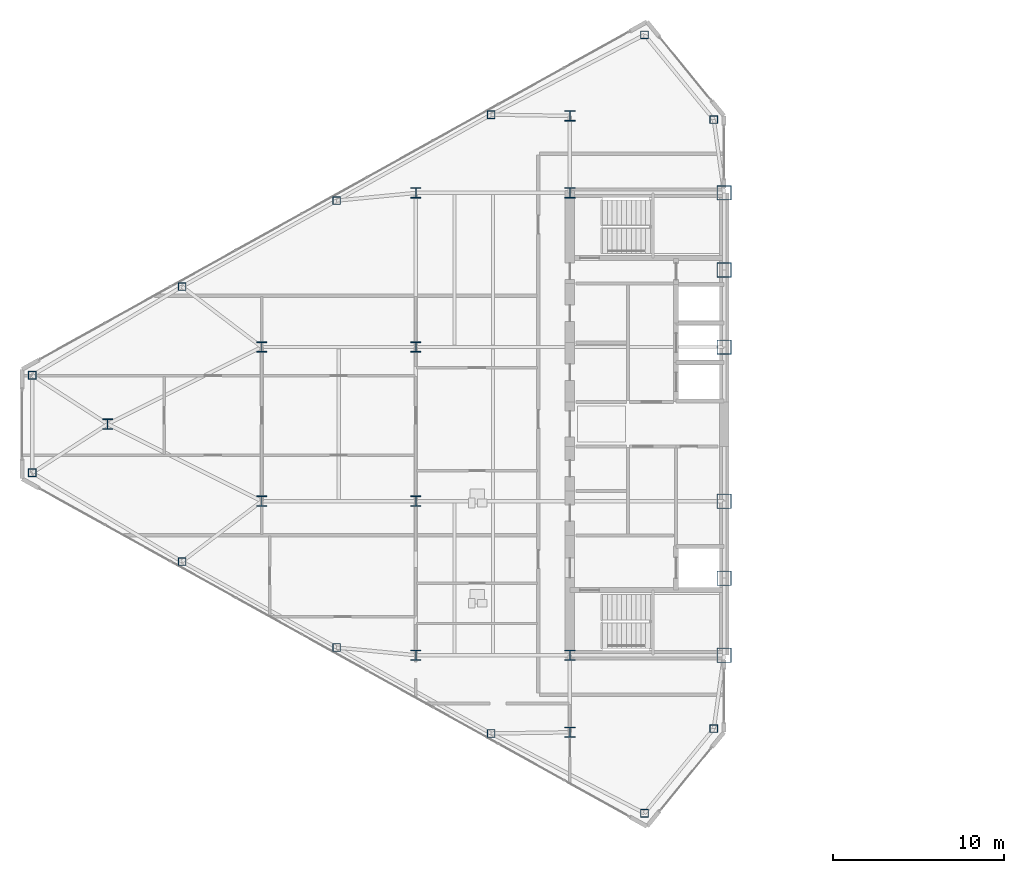
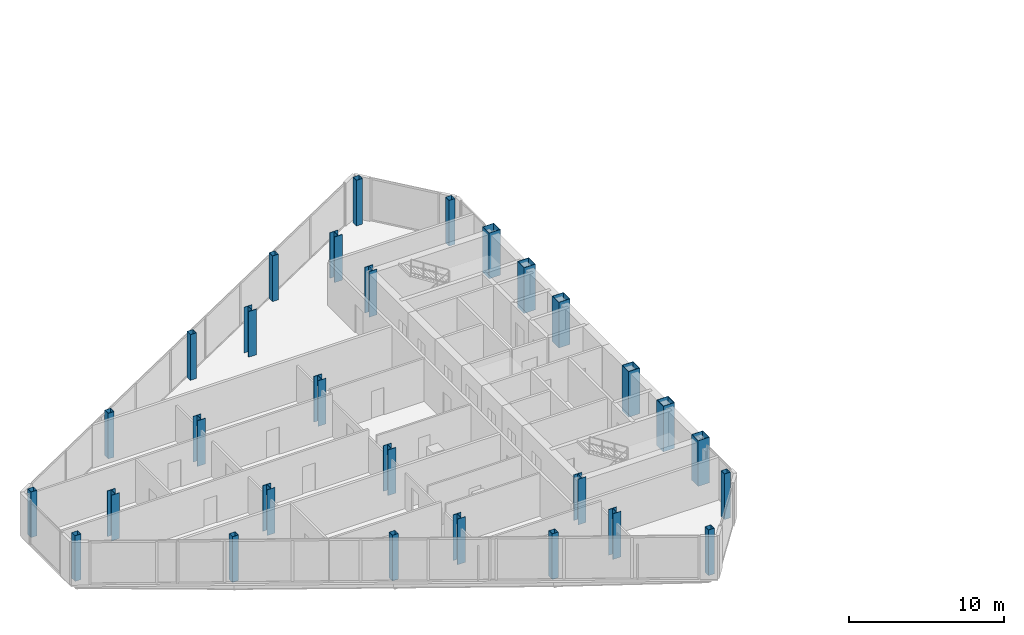
# One storey, part 1 of 26: 29 columns.
"""IFC4 building model written with IfcOpenShell, lengths in metres."""

from ifc_helpers import new_model, si_unit, direction, frame, origin, origin_2d, place, context, subcontext, project, spatial, hollow_rectangle, i_section, extrude, source, transform, mapped, material, material_profile, profile_set, type_object, type_shapes, element, save


model = new_model("IFC4")

# Units and contexts
model_context = context("Model", 3, precision=1e-05, world=origin(), true_north=direction((0.0, 1.0)))
body_context = subcontext(model_context, "Body", "Model", "MODEL_VIEW")
ifc_project = project(units=[si_unit("LENGTHUNIT", "METRE"), si_unit("AREAUNIT", "SQUARE_METRE"), si_unit("VOLUMEUNIT", "CUBIC_METRE"), si_unit("PLANEANGLEUNIT", "RADIAN"), si_unit("MASSUNIT", "GRAM", prefix="KILO")], contexts=[model_context])

# Site, building, storey
site_placement = place(None, origin())
site = spatial("IfcSite", under=ifc_project, at=site_placement, CompositionType="ELEMENT")
building_placement = place(site_placement, origin())
building = spatial("IfcBuilding", under=site, at=building_placement, Name="Seokmaru Belvedere", CompositionType="ELEMENT")
storey_placement = place(building_placement, frame((0.0, 0.0, 177.89990234375)))
storey = spatial("IfcBuildingStorey", under=building, at=storey_placement, Name="L47", CompositionType="ELEMENT", Elevation=177.89990234375)

# Columns
ifc_material_1 = material(Name="Steel SM355 (355 MPa)", Category="steel")
ifc_material_profile_1 = material_profile(ifc_material_1, hollow_rectangle(XDim=0.449951171875, YDim=0.449951171875, WallThickness=0.01806640625, at=origin_2d()), Name="HSS-450x450x18")
ifc_profile_set_1 = profile_set([ifc_material_profile_1], Name="Steel SM355 (355 MPa)")
column_type_1 = type_object("IfcColumnType", Name="Perimeter Facet Column HSS-450", PredefinedType="COLUMN", material=ifc_profile_set_1)
shared_shape_1 = source(origin(), body_context, "Body", "SweptSolid", [
    extrude(hollow_rectangle(XDim=0.449951171875, YDim=0.449951171875, WallThickness=0.01806640625, at=origin_2d()), origin(), (0.0, 0.0, 1.0), 3.60009765625),
])
type_shapes(column_type_1, [shared_shape_1])
for number, where, z_axis, x_axis, name in (
    (1, (-28.10009765625, -17.785888671875, 0.0), (0.0, 0.0, 1.0), (1.0, 0.0, 0.0), "L47 Column WF1"),
    (2, (-28.10009765625, 17.785888671875, 0.0), (0.0, 0.0, 1.0), (1.0, 0.0, 0.0), "L47 Column WF2"),
    (3, (-32.146728515625, 22.731689453125, 0.0), (0.0, 0.0, 1.0), (1.0, 0.0, 0.0), "L47 Column WF3"),
    (4, (-67.89990234375, 2.84716796875, 0.0), (0.0, 0.0, 1.0), (1.0, 0.0, 0.0), "L47 Column WF4"),
    (5, (-67.89990234375, -2.84716796875, 0.0), (0.0, 0.0, 1.0), (1.0, 0.0, 0.0), "L47 Column WF5"),
    (6, (-32.146728515625, -22.731689453125, 0.0), (0.0, 0.0, 1.0), (1.0, 0.0, 0.0), "L47 Column WF6"),
    (7, (-41.103759765625, -18.07080078125, 0.0), (0.0, 0.0, 1.0), (1.0, 0.0, 0.0), "L47 Column WFLK_S1"),
    (8, (-50.129150390625, -13.051025390625, 0.0), (0.0, 0.0, 1.0), (1.0, 0.0, 0.0), "L47 Column WFLK_S2"),
    (9, (-59.154541015625, -8.031494140625, 0.0), (0.0, 0.0, 1.0), (1.0, 0.0, 0.0), "L47 Column WFLK_S3"),
    (10, (-41.103759765625, 18.07080078125, 0.0), (0.0, 0.0, 1.0), (1.0, 0.0, 0.0), "L47 Column WFLK_N1"),
    (11, (-50.129150390625, 13.051025390625, 0.0), (0.0, 0.0, 1.0), (1.0, 0.0, 0.0), "L47 Column WFLK_N2"),
    (12, (-59.154541015625, 8.031494140625, 0.0), (0.0, 0.0, 1.0), (1.0, 0.0, 0.0), "L47 Column WFLK_N3"),
):
    element("IfcColumn", number, at=place(storey_placement, frame(where, z_axis=z_axis, x_axis=x_axis)), inside=storey, type_object=column_type_1, Name=name, PredefinedType="COLUMN", context=body_context, shape_type="MappedRepresentation", body=[
        mapped(shared_shape_1, transform((0.0, 0.0, 0.0), scale=1.0)),
    ])
ifc_material_2 = material(Name="Steel HSA650 (650 MPa)", Category="steel")
ifc_material_profile_2 = material_profile(ifc_material_2, hollow_rectangle(XDim=0.85009765625, YDim=0.85009765625, WallThickness=0.035888671875, at=origin_2d()), Name="BOX-850x850x36")
ifc_profile_set_2 = profile_set([ifc_material_profile_2], Name="Steel HSA650 (650 MPa)")
column_type_2 = type_object("IfcColumnType", Name="Portal Spine Column BOX-850", PredefinedType="COLUMN", material=ifc_profile_set_2)
shared_shape_2 = source(origin(), body_context, "Body", "SweptSolid", [
    extrude(hollow_rectangle(XDim=0.85009765625, YDim=0.85009765625, WallThickness=0.035888671875, at=origin_2d()), origin(), (0.0, 0.0, 1.0), 3.60009765625),
])
type_shapes(column_type_2, [shared_shape_2])
for number, where, z_axis, x_axis, name in (
    (13, (-27.5, -13.5, 0.0), (0.0, 0.0, 1.0), (1.0, 0.0, 0.0), "L47 Column WS1"),
    (14, (-27.5, -9.0, 0.0), (0.0, 0.0, 1.0), (1.0, 0.0, 0.0), "L47 Column WS2"),
    (15, (-27.5, -4.5, 0.0), (0.0, 0.0, 1.0), (1.0, 0.0, 0.0), "L47 Column WS3"),
    (16, (-27.5, 4.5, 0.0), (0.0, 0.0, 1.0), (1.0, 0.0, 0.0), "L47 Column WS4"),
    (17, (-27.5, 9.0, 0.0), (0.0, 0.0, 1.0), (1.0, 0.0, 0.0), "L47 Column WS5"),
    (18, (-27.5, 13.5, 0.0), (0.0, 0.0, 1.0), (1.0, 0.0, 0.0), "L47 Column WS6"),
):
    element("IfcColumn", number, at=place(storey_placement, frame(where, z_axis=z_axis, x_axis=x_axis)), inside=storey, type_object=column_type_2, Name=name, PredefinedType="COLUMN", context=body_context, shape_type="MappedRepresentation", body=[
        mapped(shared_shape_2, transform((0.0, 0.0, 0.0), scale=1.0)),
    ])
ifc_material_profile_3 = material_profile(ifc_material_1, i_section(OverallWidth=0.60009765625, OverallDepth=0.60009765625, WebThickness=0.02490234375, FlangeThickness=0.0400390625, at=origin_2d()), Name="H-600x600x25x40")
ifc_profile_set_3 = profile_set([ifc_material_profile_3], Name="Steel SM355 (355 MPa)")
column_type_3 = type_object("IfcColumnType", Name="Upper-Mid Interior Column H-600", PredefinedType="COLUMN", material=ifc_profile_set_3)
shared_shape_3 = source(origin(), body_context, "Body", "SweptSolid", [
    extrude(i_section(OverallWidth=0.60009765625, OverallDepth=0.60009765625, WebThickness=0.02490234375, FlangeThickness=0.0400390625, at=origin_2d()), origin(), (0.0, 0.0, 1.0), 3.60009765625),
])
type_shapes(column_type_3, [shared_shape_3])
for number, where, z_axis, x_axis, name in (
    (19, (-36.5, -18.0, 0.0), (0.0, 0.0, 1.0), (1.0, 0.0, 0.0), "L47 Column WC1"),
    (20, (-36.5, -13.5, 0.0), (0.0, 0.0, 1.0), (1.0, 0.0, 0.0), "L47 Column WC2"),
    (21, (-36.5, 13.5, 0.0), (0.0, 0.0, 1.0), (1.0, 0.0, 0.0), "L47 Column WC3"),
    (22, (-36.5, 18.0, 0.0), (0.0, 0.0, 1.0), (1.0, 0.0, 0.0), "L47 Column WC4"),
    (23, (-45.5, -13.5, 0.0), (0.0, 0.0, 1.0), (1.0, 0.0, 0.0), "L47 Column WG5_1"),
    (24, (-45.5, -4.5, 0.0), (0.0, 0.0, 1.0), (1.0, 0.0, 0.0), "L47 Column WG5_2"),
    (25, (-45.5, 4.5, 0.0), (0.0, 0.0, 1.0), (1.0, 0.0, 0.0), "L47 Column WG5_3"),
    (26, (-45.5, 13.5, 0.0), (0.0, 0.0, 1.0), (1.0, 0.0, 0.0), "L47 Column WG5_4"),
    (27, (-54.5, -4.5, 0.0), (0.0, 0.0, 1.0), (1.0, 0.0, 0.0), "L47 Column WG4P_1"),
    (28, (-54.5, 4.5, 0.0), (0.0, 0.0, 1.0), (1.0, 0.0, 0.0), "L47 Column WG4P_2"),
    (29, (-63.5, 0.0, 0.0), (0.0, 0.0, 1.0), (1.0, 0.0, 0.0), "L47 Column WG3P_1"),
):
    element("IfcColumn", number, at=place(storey_placement, frame(where, z_axis=z_axis, x_axis=x_axis)), inside=storey, type_object=column_type_3, Name=name, PredefinedType="COLUMN", context=body_context, shape_type="MappedRepresentation", body=[
        mapped(shared_shape_3, transform((0.0, 0.0, 0.0), scale=1.0)),
    ])

save(model, "model.ifc")
